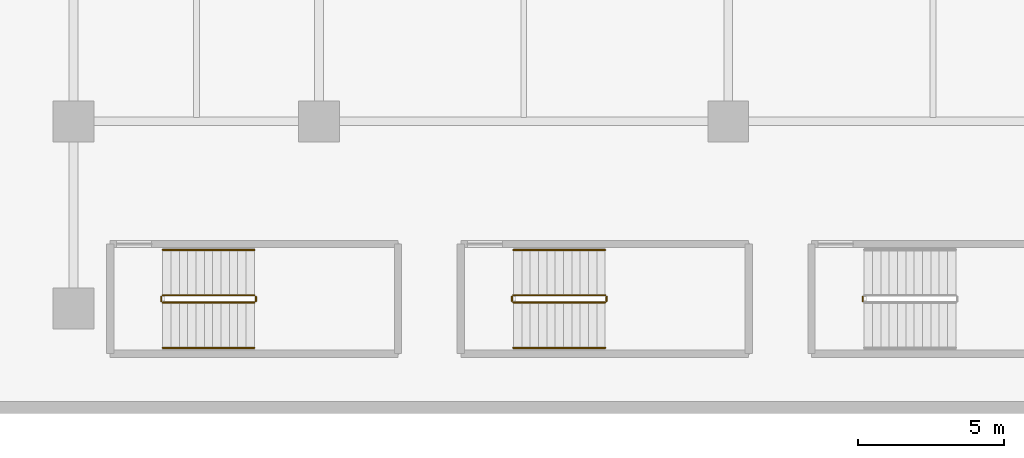
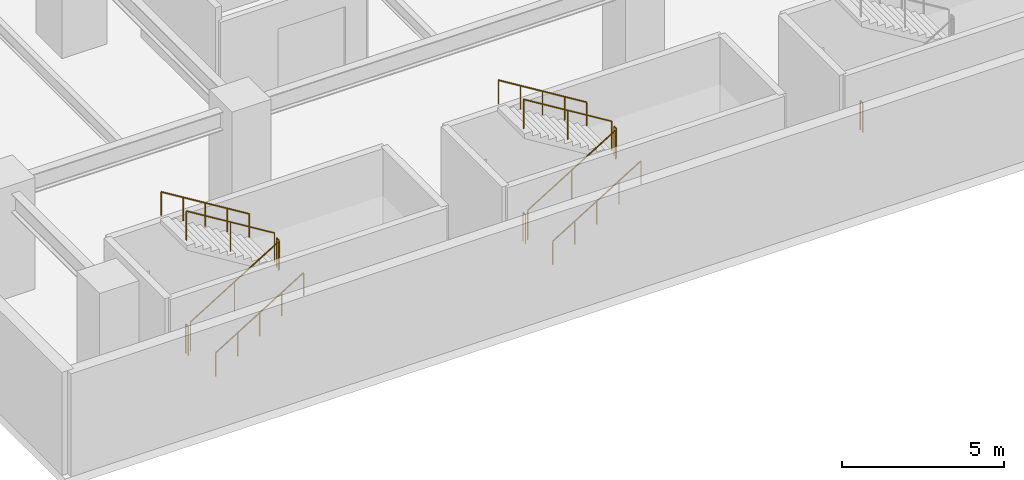
# One storey, part 18 of 25: 13 railings.
"""IFC4 building model written with IfcOpenShell, lengths in metres."""

from ifc_helpers import new_model, si_unit, direction, frame, origin, origin_2d, place, context, subcontext, project, spatial, circle, extrude, material, type_object, element, save


model = new_model("IFC4")

# Units and contexts
model_context = context("Model", 3, precision=1e-05, world=origin(), true_north=direction((0.0, 1.0)))
body_context = subcontext(model_context, "Body", "Model", "MODEL_VIEW")
ifc_project = project(units=[si_unit("LENGTHUNIT", "METRE"), si_unit("AREAUNIT", "SQUARE_METRE"), si_unit("VOLUMEUNIT", "CUBIC_METRE"), si_unit("PLANEANGLEUNIT", "RADIAN"), si_unit("MASSUNIT", "GRAM", prefix="KILO")], contexts=[model_context])

# Site, building, storey
site_placement = place(None, origin())
site = spatial("IfcSite", under=ifc_project, at=site_placement, CompositionType="ELEMENT")
building_placement = place(site_placement, origin())
building = spatial("IfcBuilding", under=site, at=building_placement, Name="Narakoshi Arena Tower", CompositionType="ELEMENT")
storey_placement = place(building_placement, frame((0.0, 0.0, 9.0)))
storey = spatial("IfcBuildingStorey", under=building, at=storey_placement, Name="L02", CompositionType="ELEMENT", Elevation=9.0)

# Railings
ifc_material_1 = material(Name="Clear low-iron laminated structural glass", Category="glass")
railing_type_1 = type_object("IfcRailingType", Name="RL-BAL-1100", PredefinedType="BALUSTRADE", material=ifc_material_1)
railing_1_placement = place(storey_placement, frame((6.64990234375, 3.800048828125, 0.175048828125)))
element("IfcRailing", 1, at=railing_1_placement, inside=storey, type_object=railing_type_1, Name="L02 AST1 stair guard 1", PredefinedType="BALUSTRADE", context=body_context, shape_type="SweptSolid", body=[
    extrude(circle(Radius=0.02392578125, at=origin_2d()), frame((0.0, 0.0, 1.09619140625), z_axis=(0.852166034122, 0.0, 0.523271488128), x_axis=(0.0, 1.0, 0.0)), (0.0, 0.0, 1.0), 3.678955078125),
    extrude(circle(Radius=0.02099609375, at=origin_2d()), origin(), (0.0, 0.0, 1.0), 1.072021484375),
    extrude(circle(Radius=0.02099609375, at=origin_2d()), frame((1.5673828125, 0.0, 0.96240234375)), (0.0, 0.0, 1.0), 1.072021484375),
    extrude(circle(Radius=0.02099609375, at=origin_2d()), frame((3.135009765625, 0.0, 1.925048828125)), (0.0, 0.0, 1.0), 1.072021484375),
])
railing_2_placement = place(storey_placement, frame((9.8349609375, 3.85009765625, 2.10009765625)))
element("IfcRailing", 2, at=railing_2_placement, inside=storey, type_object=railing_type_1, Name="L02 AST1 stair guard 2", PredefinedType="BALUSTRADE", context=body_context, shape_type="SweptSolid", body=[
    extrude(circle(Radius=0.02392578125, at=origin_2d()), frame((0.0, 0.0, 1.09619140625), z_axis=(0.0, 1.0, 0.0), x_axis=(-1.0, 0.0, 0.0)), (0.0, 0.0, 1.0), 0.14990234375),
    extrude(circle(Radius=0.02099609375, at=origin_2d()), origin(), (0.0, 0.0, 1.0), 1.072021484375),
    extrude(circle(Radius=0.02099609375, at=origin_2d()), frame((0.0, 0.14990234375, 0.0)), (0.0, 0.0, 1.0), 1.072021484375),
])
railing_3_placement = place(storey_placement, frame((9.784912109375, 4.050048828125, 2.27490234375)))
element("IfcRailing", 3, at=railing_3_placement, inside=storey, type_object=railing_type_1, Name="L02 AST1 stair guard 3", PredefinedType="BALUSTRADE", context=body_context, shape_type="SweptSolid", body=[
    extrude(circle(Radius=0.02392578125, at=origin_2d()), frame((0.0, 0.0, 1.09619140625), z_axis=(-0.852166034122, 0.0, 0.523271488128), x_axis=(0.0, -1.0, 0.0)), (0.0, 0.0, 1.0), 3.678955078125),
    extrude(circle(Radius=0.02099609375, at=origin_2d()), origin(), (0.0, 0.0, 1.0), 1.072021484375),
    extrude(circle(Radius=0.02099609375, at=origin_2d()), frame((-1.5673828125, 0.0, 0.96240234375)), (0.0, 0.0, 1.0), 1.072021484375),
    extrude(circle(Radius=0.02099609375, at=origin_2d()), frame((-3.135009765625, 0.0, 1.925048828125)), (0.0, 0.0, 1.0), 1.072021484375),
])
railing_4_placement = place(storey_placement, frame((6.60009765625, 3.85009765625, 0.0)))
element("IfcRailing", 4, at=railing_4_placement, inside=storey, type_object=railing_type_1, Name="L02 AST1 stair guard 4", PredefinedType="BALUSTRADE", context=body_context, shape_type="SweptSolid", body=[
    extrude(circle(Radius=0.02392578125, at=origin_2d()), frame((0.0, 0.0, 1.09619140625), z_axis=(0.0, 1.0, 0.0), x_axis=(-1.0, 0.0, 0.0)), (0.0, 0.0, 1.0), 0.14990234375),
    extrude(circle(Radius=0.02099609375, at=origin_2d()), origin(), (0.0, 0.0, 1.0), 1.072021484375),
    extrude(circle(Radius=0.02099609375, at=origin_2d()), frame((0.0, 0.14990234375, 0.0)), (0.0, 0.0, 1.0), 1.072021484375),
])
railing_5_placement = place(storey_placement, frame((18.64990234375, 3.800048828125, 0.175048828125)))
element("IfcRailing", 5, at=railing_5_placement, inside=storey, type_object=railing_type_1, Name="L02 AST2 stair guard 1", PredefinedType="BALUSTRADE", context=body_context, shape_type="SweptSolid", body=[
    extrude(circle(Radius=0.02392578125, at=origin_2d()), frame((0.0, 0.0, 1.09619140625), z_axis=(0.852166034122, 0.0, 0.523271488128), x_axis=(0.0, 1.0, 0.0)), (0.0, 0.0, 1.0), 3.678955078125),
    extrude(circle(Radius=0.02099609375, at=origin_2d()), origin(), (0.0, 0.0, 1.0), 1.072021484375),
    extrude(circle(Radius=0.02099609375, at=origin_2d()), frame((1.5673828125, 0.0, 0.96240234375)), (0.0, 0.0, 1.0), 1.072021484375),
    extrude(circle(Radius=0.02099609375, at=origin_2d()), frame((3.135009765625, 0.0, 1.925048828125)), (0.0, 0.0, 1.0), 1.072021484375),
])
railing_6_placement = place(storey_placement, frame((21.8349609375, 3.85009765625, 2.10009765625)))
element("IfcRailing", 6, at=railing_6_placement, inside=storey, type_object=railing_type_1, Name="L02 AST2 stair guard 2", PredefinedType="BALUSTRADE", context=body_context, shape_type="SweptSolid", body=[
    extrude(circle(Radius=0.02392578125, at=origin_2d()), frame((0.0, 0.0, 1.09619140625), z_axis=(0.0, 1.0, 0.0), x_axis=(-1.0, 0.0, 0.0)), (0.0, 0.0, 1.0), 0.14990234375),
    extrude(circle(Radius=0.02099609375, at=origin_2d()), origin(), (0.0, 0.0, 1.0), 1.072021484375),
    extrude(circle(Radius=0.02099609375, at=origin_2d()), frame((0.0, 0.14990234375, 0.0)), (0.0, 0.0, 1.0), 1.072021484375),
])
railing_7_placement = place(storey_placement, frame((21.784912109375, 4.050048828125, 2.27490234375)))
element("IfcRailing", 7, at=railing_7_placement, inside=storey, type_object=railing_type_1, Name="L02 AST2 stair guard 3", PredefinedType="BALUSTRADE", context=body_context, shape_type="SweptSolid", body=[
    extrude(circle(Radius=0.02392578125, at=origin_2d()), frame((0.0, 0.0, 1.09619140625), z_axis=(-0.852166034122, 0.0, 0.523271488128), x_axis=(0.0, -1.0, 0.0)), (0.0, 0.0, 1.0), 3.678955078125),
    extrude(circle(Radius=0.02099609375, at=origin_2d()), origin(), (0.0, 0.0, 1.0), 1.072021484375),
    extrude(circle(Radius=0.02099609375, at=origin_2d()), frame((-1.5673828125, 0.0, 0.96240234375)), (0.0, 0.0, 1.0), 1.072021484375),
    extrude(circle(Radius=0.02099609375, at=origin_2d()), frame((-3.135009765625, 0.0, 1.925048828125)), (0.0, 0.0, 1.0), 1.072021484375),
])
for number, where, name in (
    (8, (18.60009765625, 3.85009765625, 0.0), "L02 AST2 stair guard 4"),
    (9, (30.60009765625, 3.85009765625, 0.0), "L02 AST3 stair guard 4"),
):
    element("IfcRailing", number, at=place(storey_placement, frame(where)), inside=storey, type_object=railing_type_1, Name=name, PredefinedType="BALUSTRADE", context=body_context, shape_type="SweptSolid", body=[
        extrude(circle(Radius=0.02392578125, at=origin_2d()), frame((0.0, 0.0, 1.09619140625), z_axis=(0.0, 1.0, 0.0), x_axis=(-1.0, 0.0, 0.0)), (0.0, 0.0, 1.0), 0.14990234375),
        extrude(circle(Radius=0.02099609375, at=origin_2d()), origin(), (0.0, 0.0, 1.0), 1.072021484375),
        extrude(circle(Radius=0.02099609375, at=origin_2d()), frame((0.0, 0.14990234375, 0.0)), (0.0, 0.0, 1.0), 1.072021484375),
    ])
ifc_material_2 = material(Name="Brushed bronze stainless steel", Category="steel")
railing_type_2 = type_object("IfcRailingType", Name="RL-HND-900", PredefinedType="HANDRAIL", material=ifc_material_2)
railing_8_placement = place(storey_placement, frame((6.64990234375, 2.25, 0.175048828125)))
element("IfcRailing", 10, at=railing_8_placement, inside=storey, type_object=railing_type_2, Name="L02 AST1 stair handrail 1", PredefinedType="HANDRAIL", context=body_context, shape_type="SweptSolid", body=[
    extrude(circle(Radius=0.02392578125, at=origin_2d()), frame((0.0, 0.0, 0.8759765625), z_axis=(0.852166034122, 0.0, 0.523271488128), x_axis=(0.0, 1.0, 0.0)), (0.0, 0.0, 1.0), 3.678955078125),
    extrude(circle(Radius=0.02099609375, at=origin_2d()), origin(), (0.0, 0.0, 1.0), 0.851806640625),
    extrude(circle(Radius=0.02099609375, at=origin_2d()), frame((0.78369140625, 0.0, 0.481201171875)), (0.0, 0.0, 1.0), 0.851806640625),
    extrude(circle(Radius=0.02099609375, at=origin_2d()), frame((1.5673828125, 0.0, 0.96240234375)), (0.0, 0.0, 1.0), 0.851806640625),
    extrude(circle(Radius=0.02099609375, at=origin_2d()), frame((2.351318359375, 0.0, 1.44384765625)), (0.0, 0.0, 1.0), 0.851806640625),
    extrude(circle(Radius=0.02099609375, at=origin_2d()), frame((3.135009765625, 0.0, 1.925048828125)), (0.0, 0.0, 1.0), 0.851806640625),
])
railing_9_placement = place(storey_placement, frame((9.784912109375, 5.60009765625, 2.27490234375)))
element("IfcRailing", 11, at=railing_9_placement, inside=storey, type_object=railing_type_2, Name="L02 AST1 stair handrail 2", PredefinedType="HANDRAIL", context=body_context, shape_type="SweptSolid", body=[
    extrude(circle(Radius=0.02392578125, at=origin_2d()), frame((0.0, 0.0, 0.8759765625), z_axis=(-0.852166034122, 0.0, 0.523271488128), x_axis=(0.0, -1.0, 0.0)), (0.0, 0.0, 1.0), 3.678955078125),
    extrude(circle(Radius=0.02099609375, at=origin_2d()), origin(), (0.0, 0.0, 1.0), 0.851806640625),
    extrude(circle(Radius=0.02099609375, at=origin_2d()), frame((-0.78369140625, 0.0, 0.481201171875)), (0.0, 0.0, 1.0), 0.851806640625),
    extrude(circle(Radius=0.02099609375, at=origin_2d()), frame((-1.5673828125, 0.0, 0.96240234375)), (0.0, 0.0, 1.0), 0.851806640625),
    extrude(circle(Radius=0.02099609375, at=origin_2d()), frame((-2.351318359375, 0.0, 1.44384765625)), (0.0, 0.0, 1.0), 0.851806640625),
    extrude(circle(Radius=0.02099609375, at=origin_2d()), frame((-3.135009765625, 0.0, 1.925048828125)), (0.0, 0.0, 1.0), 0.851806640625),
])
railing_10_placement = place(storey_placement, frame((18.64990234375, 2.25, 0.175048828125)))
element("IfcRailing", 12, at=railing_10_placement, inside=storey, type_object=railing_type_2, Name="L02 AST2 stair handrail 1", PredefinedType="HANDRAIL", context=body_context, shape_type="SweptSolid", body=[
    extrude(circle(Radius=0.02392578125, at=origin_2d()), frame((0.0, 0.0, 0.8759765625), z_axis=(0.852166034122, 0.0, 0.523271488128), x_axis=(0.0, 1.0, 0.0)), (0.0, 0.0, 1.0), 3.678955078125),
    extrude(circle(Radius=0.02099609375, at=origin_2d()), origin(), (0.0, 0.0, 1.0), 0.851806640625),
    extrude(circle(Radius=0.02099609375, at=origin_2d()), frame((0.78369140625, 0.0, 0.481201171875)), (0.0, 0.0, 1.0), 0.851806640625),
    extrude(circle(Radius=0.02099609375, at=origin_2d()), frame((1.5673828125, 0.0, 0.96240234375)), (0.0, 0.0, 1.0), 0.851806640625),
    extrude(circle(Radius=0.02099609375, at=origin_2d()), frame((2.351318359375, 0.0, 1.44384765625)), (0.0, 0.0, 1.0), 0.851806640625),
    extrude(circle(Radius=0.02099609375, at=origin_2d()), frame((3.135009765625, 0.0, 1.925048828125)), (0.0, 0.0, 1.0), 0.851806640625),
])
railing_11_placement = place(storey_placement, frame((21.784912109375, 5.60009765625, 2.27490234375)))
element("IfcRailing", 13, at=railing_11_placement, inside=storey, type_object=railing_type_2, Name="L02 AST2 stair handrail 2", PredefinedType="HANDRAIL", context=body_context, shape_type="SweptSolid", body=[
    extrude(circle(Radius=0.02392578125, at=origin_2d()), frame((0.0, 0.0, 0.8759765625), z_axis=(-0.852166034122, 0.0, 0.523271488128), x_axis=(0.0, -1.0, 0.0)), (0.0, 0.0, 1.0), 3.678955078125),
    extrude(circle(Radius=0.02099609375, at=origin_2d()), origin(), (0.0, 0.0, 1.0), 0.851806640625),
    extrude(circle(Radius=0.02099609375, at=origin_2d()), frame((-0.78369140625, 0.0, 0.481201171875)), (0.0, 0.0, 1.0), 0.851806640625),
    extrude(circle(Radius=0.02099609375, at=origin_2d()), frame((-1.5673828125, 0.0, 0.96240234375)), (0.0, 0.0, 1.0), 0.851806640625),
    extrude(circle(Radius=0.02099609375, at=origin_2d()), frame((-2.351318359375, 0.0, 1.44384765625)), (0.0, 0.0, 1.0), 0.851806640625),
    extrude(circle(Radius=0.02099609375, at=origin_2d()), frame((-3.135009765625, 0.0, 1.925048828125)), (0.0, 0.0, 1.0), 0.851806640625),
])

save(model, "model.ifc")
